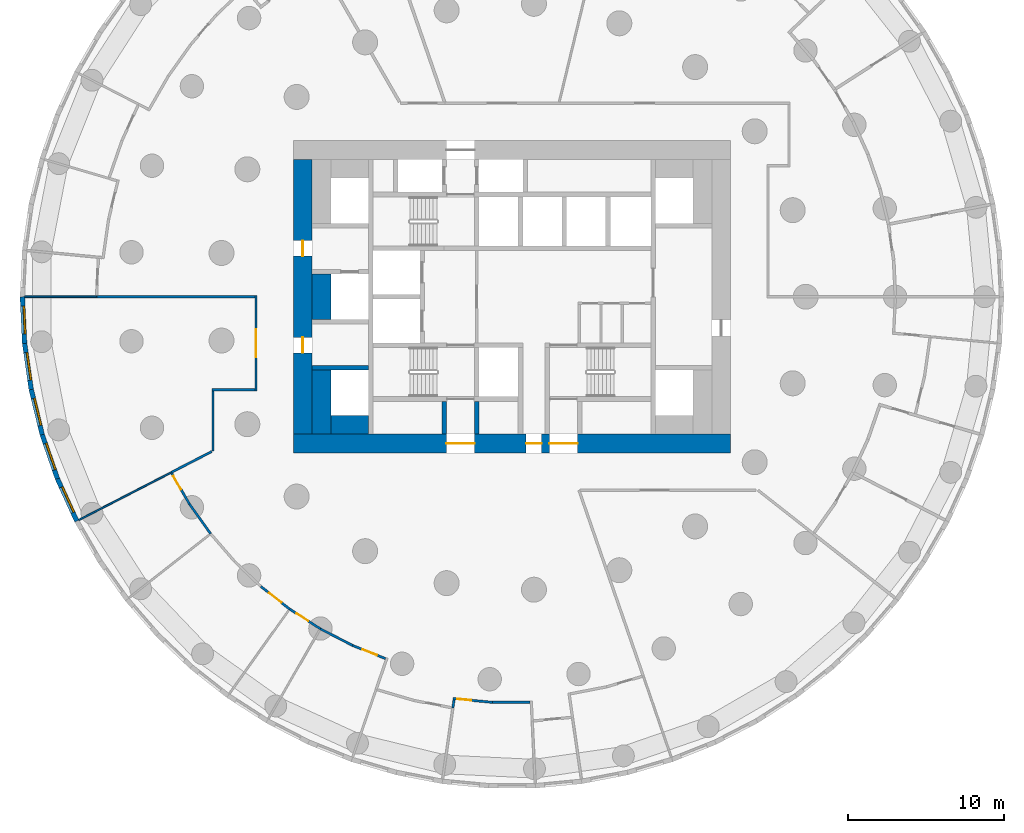
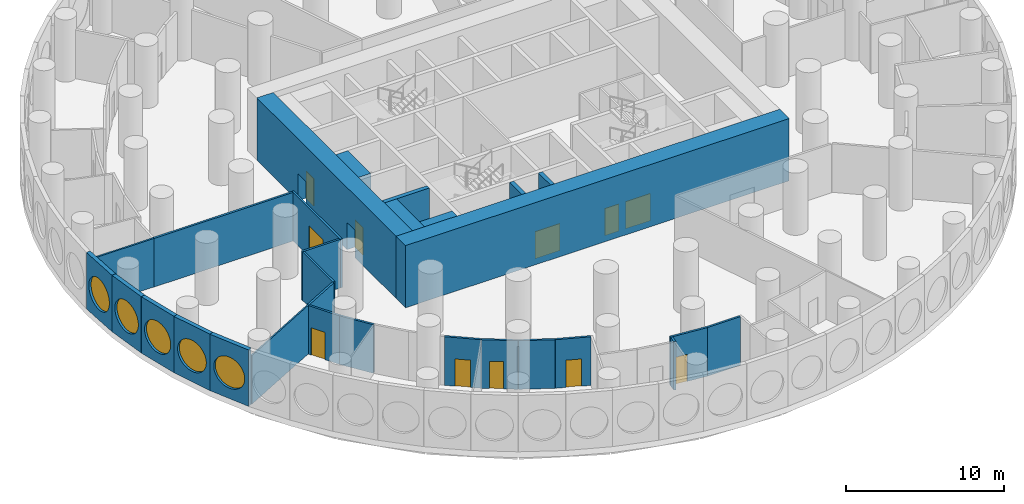
# One storey, part 3 of 12: 29 walls, 11 doors, 5 windows, 16 openings.
"""IFC4 building model written with IfcOpenShell, lengths in metres."""

import ifcopenshell
import ifcopenshell.guid

model = None  # the IFC model being written
_history = None  # IfcOwnerHistory: only IFC2X3 demands one
_inside = {}  # id of a spatial element -> (the spatial element, [elements in it])
_under = {}  # id of a project, library or spatial element -> (it, [spatial elements below it])
_declared = {}  # id of a project -> (the project, [libraries it declares])
_typed = {}  # id of a type object -> (the type object, [elements of that type])
_made_of = {}  # id of a material, layer set ... -> (it, [elements and type objects made of it])


def new_model(schema):
    """Start an empty IFC model of exactly this schema.

    Asked for "IFC4X3", IfcOpenShell would pick the latest addendum, in which some entities
    have other attributes; the version numbers below select the first issue.
    IFC2X3 requires an IfcOwnerHistory on every rooted entity: one is made here for all.
    """
    global model, _history
    if schema == "IFC4X3":
        model = ifcopenshell.file(schema_version=(4, 3, 0, 0))
    else:
        model = ifcopenshell.file(schema=schema)
    _inside.clear()
    _under.clear()
    _declared.clear()
    _typed.clear()
    _made_of.clear()
    _history = None
    if model.schema == "IFC2X3":
        org = make("IfcOrganization", Name="unknown")
        user = make(
            "IfcPersonAndOrganization",
            ThePerson=make("IfcPerson", FamilyName="unknown"),
            TheOrganization=org,
        )
        app = make(
            "IfcApplication",
            ApplicationDeveloper=org,
            Version="unknown",
            ApplicationFullName="unknown",
            ApplicationIdentifier="unknown",
        )
        _history = make(
            "IfcOwnerHistory",
            OwningUser=user,
            OwningApplication=app,
            ChangeAction="ADDED",
            CreationDate=0,
        )
    return model


def make(cls, **values):
    """One entity of the class cls with the attributes given. An attribute that is None is left unset."""
    return model.create_entity(
        cls, **{name: value for name, value in values.items() if value is not None}
    )


def rooted(cls, **values):
    """An entity with a GlobalId (a new one), such as an element, a storey or a relation."""
    return make(cls, GlobalId=ifcopenshell.guid.new(), OwnerHistory=_history, **values)


def si_unit(unit_type, name, prefix=None):
    """IfcSIUnit, for example si_unit("LENGTHUNIT", "METRE", prefix="MILLI")."""
    return make("IfcSIUnit", UnitType=unit_type, Prefix=prefix, Name=name)


def assignment(units):
    """IfcUnitAssignment: the units of a project."""
    return None if units is None else make("IfcUnitAssignment", Units=units)


def point(xyz):
    """IfcCartesianPoint."""
    return None if xyz is None else make("IfcCartesianPoint", Coordinates=xyz)


def direction(xyz):
    """IfcDirection."""
    return None if xyz is None else make("IfcDirection", DirectionRatios=xyz)


def frame(location, z_axis=None, x_axis=None):
    """IfcAxis2Placement3D, a coordinate frame: its origin and axes. An axis left out is left unset."""
    return make(
        "IfcAxis2Placement3D",
        Location=point(location),
        Axis=direction(z_axis),
        RefDirection=direction(x_axis),
    )


def frame_2d(location, x_axis=None):
    """IfcAxis2Placement2D, a coordinate frame in the plane: its origin and x axis."""
    return make(
        "IfcAxis2Placement2D", Location=point(location), RefDirection=direction(x_axis)
    )


def origin():
    """The frame at (0, 0, 0) with its axes left unset."""
    return frame((0.0, 0.0, 0.0))


def origin_2d():
    """The frame at (0, 0) in the plane with its x axis left unset."""
    return frame_2d((0.0, 0.0))


def place(relative_to, where):
    """IfcLocalPlacement: puts the frame where relative to a parent placement (None: the world)."""
    return make(
        "IfcLocalPlacement", PlacementRelTo=relative_to, RelativePlacement=where
    )


def context(
    kind, dimensions, precision=None, world=None, true_north=None, identifier=None
):
    """IfcGeometricRepresentationContext, for example the 3D "Model" context."""
    return make(
        "IfcGeometricRepresentationContext",
        ContextIdentifier=identifier,
        ContextType=kind,
        CoordinateSpaceDimension=dimensions,
        Precision=precision,
        WorldCoordinateSystem=world,
        TrueNorth=true_north,
    )


def subcontext(parent, identifier, kind, view, scale=None):
    """IfcGeometricRepresentationSubContext, for example "Body" below "Model"."""
    return make(
        "IfcGeometricRepresentationSubContext",
        ContextIdentifier=identifier,
        ContextType=kind,
        ParentContext=parent,
        TargetScale=scale,
        TargetView=view,
    )


def project(units=None, contexts=None):
    """IfcProject with its units and contexts."""
    return rooted(
        "IfcProject",
        Name="project",
        RepresentationContexts=contexts,
        UnitsInContext=assignment(units),
    )


def spatial(cls, under=None, at=None, **own):
    """A site, building, storey or space (cls), placed at a placement, below another one or the project."""
    s = rooted(cls, ObjectPlacement=at, **own)
    if under is not None:
        _under.setdefault(under.id(), (under, []))[1].append(s)
    return s


def profile(cls, at=None, kind="AREA", **sizes):
    """A parametric profile (cls). Its sizes go by their IFC names, for example OverallWidth=200.0."""
    return make(cls, ProfileType=kind, Position=at, **sizes)


def rectangle(**sizes):
    """IfcRectangleProfileDef."""
    return profile("IfcRectangleProfileDef", **sizes)


def circle(**sizes):
    """IfcCircleProfileDef."""
    return profile("IfcCircleProfileDef", **sizes)


def extrude(swept, where, along, depth):
    """IfcExtrudedAreaSolid: the profile swept, set in the frame where, extruded along a direction by depth."""
    return make(
        "IfcExtrudedAreaSolid",
        SweptArea=swept,
        Position=where,
        ExtrudedDirection=direction(along),
        Depth=depth,
    )


def shape(context_of_items, identifier, shape_type, items):
    """IfcShapeRepresentation: the items that make up one representation, for example the "Body"."""
    return make(
        "IfcShapeRepresentation",
        ContextOfItems=context_of_items,
        RepresentationIdentifier=identifier,
        RepresentationType=shape_type,
        Items=items,
    )


def material(Name=None, Category=None):
    """IfcMaterial."""
    return make("IfcMaterial", Name=Name, Category=Category)


def layer(
    of_material, thickness, ventilated=None, Name=None, Category=None, Priority=None
):
    """IfcMaterialLayer: one layer of a wall or slab, of a material (None: an air gap)."""
    return make(
        "IfcMaterialLayer",
        Material=of_material,
        LayerThickness=thickness,
        IsVentilated=ventilated,
        Name=Name,
        Category=Category,
        Priority=Priority,
    )


def layer_set(layers, Name=None):
    """IfcMaterialLayerSet."""
    return make("IfcMaterialLayerSet", MaterialLayers=layers, LayerSetName=Name)


def made_of(thing, what):
    """Note that an element or type object is made of a material, layer set ...; save() writes the relation."""
    if what is not None:
        _made_of.setdefault(what.id(), (what, []))[1].append(thing)
    return thing


def type_object(cls, material=None, **own):
    """A type object (cls), such as IfcWallType, which elements share."""
    return made_of(rooted(cls, **own), material)


def element(
    cls,
    number,
    at=None,
    inside=None,
    cuts=None,
    type_object=None,
    material=None,
    context=None,
    identifier="Body",
    shape_type=None,
    held_by="IfcProductDefinitionShape",
    body=None,
    shapes=None,
    **own,
):
    """One element of the class cls, such as IfcWall. Its Tag is "e" and its number.

    at: its placement. inside: the storey or other place that contains it. cuts: it is an
    opening in that element (IfcRelVoidsElement). A single representation is given by context,
    identifier, shape_type and body (its items); several are given by shapes. held_by: the class
    of the entity that holds the representations. save() writes the other relations.
    """
    e = rooted(cls, Tag="e%d" % number, ObjectPlacement=at, **own)
    if body is not None:
        shapes = [shape(context, identifier, shape_type, body)]
    if shapes is not None:
        e.Representation = make(held_by, Representations=shapes)
    if inside is not None:
        _inside.setdefault(inside.id(), (inside, []))[1].append(e)
    if cuts is not None:
        rooted(
            "IfcRelVoidsElement", RelatingBuildingElement=cuts, RelatedOpeningElement=e
        )
    if type_object is not None:
        _typed.setdefault(type_object.id(), (type_object, []))[1].append(e)
    return made_of(e, material)


def fill(opening, filler):
    """IfcRelFillsElement: the door or window that sits in an opening."""
    return rooted(
        "IfcRelFillsElement",
        RelatingOpeningElement=opening,
        RelatedBuildingElement=filler,
    )


def aggregate(whole, parts):
    """IfcRelAggregates: a whole, such as a stair, and the parts it consists of."""
    return rooted("IfcRelAggregates", RelatingObject=whole, RelatedObjects=parts)


def save(model, path):
    """Write the relations noted so far, then the file.

    IfcRelAggregates (storeys below a building ...), IfcRelContainedInSpatialStructure (elements
    in a storey), IfcRelDefinesByType, IfcRelAssociatesMaterial and IfcRelDeclares: one each for
    every whole, place, type object, material and project.
    """
    for whole, parts in _under.values():
        aggregate(whole, parts)
    for where, things in _inside.values():
        rooted(
            "IfcRelContainedInSpatialStructure",
            RelatedElements=things,
            RelatingStructure=where,
        )
    for kind, things in _typed.values():
        rooted("IfcRelDefinesByType", RelatedObjects=things, RelatingType=kind)
    for what, things in _made_of.values():
        rooted("IfcRelAssociatesMaterial", RelatedObjects=things, RelatingMaterial=what)
    for by, libraries in _declared.values():
        rooted("IfcRelDeclares", RelatingContext=by, RelatedDefinitions=libraries)
    model.write(path)


model = new_model("IFC4")

# Units and contexts
model_context = context("Model", 3, precision=1e-05, world=origin(), true_north=direction((0.0, 1.0)))
body_context = subcontext(model_context, "Body", "Model", "MODEL_VIEW")
ifc_project = project(units=[si_unit("LENGTHUNIT", "METRE"), si_unit("AREAUNIT", "SQUARE_METRE"), si_unit("VOLUMEUNIT", "CUBIC_METRE"), si_unit("PLANEANGLEUNIT", "RADIAN"), si_unit("MASSUNIT", "GRAM", prefix="KILO")], contexts=[model_context])

# Site, building, storey
site_placement = place(None, origin())
site = spatial("IfcSite", under=ifc_project, at=site_placement, CompositionType="ELEMENT")
building_placement = place(site_placement, origin())
building = spatial("IfcBuilding", under=site, at=building_placement, Name="Tracery Tower", CompositionType="ELEMENT")
storey_placement = place(building_placement, frame((0.0, 0.0, 13.800048828125)))
storey = spatial("IfcBuildingStorey", under=building, at=storey_placement, Name="L02", CompositionType="ELEMENT", Elevation=13.800048828125)

# Walls
ifc_material_1 = material(Name="Concrete C60/75", Category="concrete")
ifc_layer_1 = layer(ifc_material_1, 1.199951171875)
ifc_layer_set_1 = layer_set([ifc_layer_1], Name="Core strip wall 1200 C60")
wall_type_1 = type_object("IfcWallType", Name="Core strip wall 1200 C60", PredefinedType="SOLIDWALL", material=ifc_layer_set_1)
wall_1_placement = place(storey_placement, frame((-12.199951171875, -8.800048828125, 0.0), z_axis=(0.0, 0.0, 1.0), x_axis=(0.0, 1.0, 0.0)))
element("IfcWall", 1, at=wall_1_placement, inside=storey, type_object=wall_type_1, Name="L02 wing strip -1 -9.4", PredefinedType="SOLIDWALL", context=body_context, shape_type="SweptSolid", body=[
    extrude(rectangle(XDim=4.10009765625, YDim=1.199951171875, at=frame_2d((2.050048828125, 0.0))), origin(), (0.0, 0.0, 1.0), 4.349853515625),
])
wall_2_placement = place(storey_placement, frame((-12.199951171875, -1.449951171875, 0.0), z_axis=(0.0, 0.0, 1.0), x_axis=(0.0, 1.0, 0.0)))
element("IfcWall", 2, at=wall_2_placement, inside=storey, type_object=wall_type_1, Name="L02 wing strip -1 -1.6", PredefinedType="SOLIDWALL", context=body_context, shape_type="SweptSolid", body=[
    extrude(rectangle(XDim=2.89990234375, YDim=1.199951171875, at=frame_2d((1.449951171875, 0.0))), origin(), (0.0, 0.0, 1.0), 4.349853515625),
])
wall_3_placement = place(storey_placement, frame((-11.60009765625, -8.199951171875, 0.0), z_axis=(0.0, 0.0, 1.0), x_axis=(1.0, 0.0, 0.0)))
element("IfcWall", 3, at=wall_3_placement, inside=storey, type_object=wall_type_1, Name="L02 wing corner -1 -8.2", PredefinedType="SOLIDWALL", context=body_context, shape_type="SweptSolid", body=[
    extrude(rectangle(XDim=2.400146484375, YDim=1.199951171875, at=frame_2d((1.2001953125, 0.0))), origin(), (0.0, 0.0, 1.0), 4.349853515625),
])

# Wall, openings, doors
ifc_material_2 = material(Name="Concrete C60/75", Category="concrete")
ifc_layer_2 = layer(ifc_material_2, 1.199951171875)
ifc_layer_set_2 = layer_set([ifc_layer_2], Name="Core wall 1200 C60")
wall_type_2 = type_object("IfcWallType", Name="Core wall 1200 C60", PredefinedType="SOLIDWALL", material=ifc_layer_set_2)
wall_4_placement = place(storey_placement, frame((-14.0, -9.39990234375, 0.0), z_axis=(0.0, 0.0, 1.0), x_axis=(1.0, 0.0, 0.0)))
wall_4 = element("IfcWall", 4, at=wall_4_placement, inside=storey, type_object=wall_type_2, Name="L02 outer S", PredefinedType="SOLIDWALL", context=body_context, shape_type="SweptSolid", body=[
    extrude(rectangle(XDim=28.0, YDim=1.199951171875, at=frame_2d((14.0, 0.0))), origin(), (0.0, 0.0, 1.0), 4.800048828125),
])
opening_1_placement = place(wall_4_placement, frame((14.89990234375, 0.0, 0.0)))
opening_1 = element("IfcOpeningElement", 5, at=opening_1_placement, cuts=wall_4, Name="Opening KD16", PredefinedType="OPENING", context=body_context, shape_type="SweptSolid", body=[
    extrude(rectangle(XDim=1.0, YDim=2.10009765625, at=frame_2d((0.5, 1.050048828125))), frame((0.0, 0.60009765625, 0.0), z_axis=(0.0, -1.0, 0.0), x_axis=(1.0, 0.0, 0.0)), (0.0, 0.0, 1.0), 1.199951171875),
])
opening_2_placement = place(wall_4_placement, frame((9.800048828125, 0.0, 0.0)))
opening_2 = element("IfcOpeningElement", 6, at=opening_2_placement, cuts=wall_4, Name="Opening KD13", PredefinedType="OPENING", context=body_context, shape_type="SweptSolid", body=[
    extrude(rectangle(XDim=1.800048828125, YDim=2.10009765625, at=frame_2d((0.89990234375, 1.050048828125))), frame((0.0, 0.60009765625, 0.0), z_axis=(0.0, -1.0, 0.0), x_axis=(1.0, 0.0, 0.0)), (0.0, 0.0, 1.0), 1.199951171875),
])
opening_3_placement = place(wall_4_placement, frame((16.39990234375, 0.0, 0.0)))
opening_3 = element("IfcOpeningElement", 7, at=opening_3_placement, cuts=wall_4, Name="Opening KD13", PredefinedType="OPENING", context=body_context, shape_type="SweptSolid", body=[
    extrude(rectangle(XDim=1.800048828125, YDim=2.10009765625, at=frame_2d((0.89990234375, 1.050048828125))), frame((0.0, 0.60009765625, 0.0), z_axis=(0.0, -1.0, 0.0), x_axis=(1.0, 0.0, 0.0)), (0.0, 0.0, 1.0), 1.199951171875),
])
ifc_material_3 = material(Name="Steel fire door", Category="steel")
door_type_1 = type_object("IfcDoorType", Name="Core exit door 1000", OperationType="NOTDEFINED", PredefinedType="DOOR", material=ifc_material_3)
door_1_placement = place(opening_1_placement, origin())
door_1 = element("IfcDoor", 8, at=door_1_placement, inside=storey, type_object=door_type_1, Name="Core exit door", OperationType="SINGLE_SWING_LEFT", OverallHeight=2.10009765625, OverallWidth=1.0, PredefinedType="DOOR", context=body_context, shape_type="SweptSolid", body=[
    extrude(rectangle(XDim=1.0, YDim=2.10009765625, at=frame_2d((0.5, 1.050048828125))), frame((0.0, 0.02490234375, 0.0), z_axis=(0.0, -1.0, 0.0), x_axis=(1.0, 0.0, 0.0)), (0.0, 0.0, 1.0), 0.050048828125),
])
fill(opening_1, door_1)
ifc_material_4 = material(Name="Steel fire door", Category="steel")
door_type_2 = type_object("IfcDoorType", Name="Core exit door 1800 double", OperationType="NOTDEFINED", PredefinedType="DOOR", material=ifc_material_4)
door_2_placement = place(opening_2_placement, origin())
door_2 = element("IfcDoor", 9, at=door_2_placement, inside=storey, type_object=door_type_2, Name="Core exit door", OperationType="DOUBLE_DOOR_SINGLE_SWING", OverallHeight=2.10009765625, OverallWidth=1.800048828125, PredefinedType="DOOR", context=body_context, shape_type="SweptSolid", body=[
    extrude(rectangle(XDim=1.800048828125, YDim=2.10009765625, at=frame_2d((0.89990234375, 1.050048828125))), frame((0.0, 0.02490234375, 0.0), z_axis=(0.0, -1.0, 0.0), x_axis=(1.0, 0.0, 0.0)), (0.0, 0.0, 1.0), 0.050048828125),
])
fill(opening_2, door_2)
door_3_placement = place(opening_3_placement, origin())
door_3 = element("IfcDoor", 10, at=door_3_placement, inside=storey, type_object=door_type_2, Name="Core exit door", OperationType="DOUBLE_DOOR_SINGLE_SWING", OverallHeight=2.10009765625, OverallWidth=1.800048828125, PredefinedType="DOOR", context=body_context, shape_type="SweptSolid", body=[
    extrude(rectangle(XDim=1.800048828125, YDim=2.10009765625, at=frame_2d((0.89990234375, 1.050048828125))), frame((0.0, 0.02490234375, 0.0), z_axis=(0.0, -1.0, 0.0), x_axis=(1.0, 0.0, 0.0)), (0.0, 0.0, 1.0), 0.050048828125),
])
fill(opening_3, door_3)

wall_5_placement = place(storey_placement, frame((-13.39990234375, -8.800048828125, 0.0), z_axis=(0.0, 0.0, 1.0), x_axis=(0.0, 1.0, 0.0)))
wall_5 = element("IfcWall", 11, at=wall_5_placement, inside=storey, type_object=wall_type_2, Name="L02 outer W", PredefinedType="SOLIDWALL", context=body_context, shape_type="SweptSolid", body=[
    extrude(rectangle(XDim=17.60009765625, YDim=1.199951171875, at=frame_2d((8.800048828125, 0.0))), origin(), (0.0, 0.0, 1.0), 4.800048828125),
])
opening_4_placement = place(wall_5_placement, frame((5.199951171875, 0.0, 0.0)))
opening_4 = element("IfcOpeningElement", 12, at=opening_4_placement, cuts=wall_5, Name="Opening KD18", PredefinedType="OPENING", context=body_context, shape_type="SweptSolid", body=[
    extrude(rectangle(XDim=1.0, YDim=2.10009765625, at=frame_2d((0.5, 1.050048828125))), frame((0.0, 0.60009765625, 0.0), z_axis=(0.0, -1.0, 0.0), x_axis=(1.0, 0.0, 0.0)), (0.0, 0.0, 1.0), 1.199951171875),
])
opening_5_placement = place(wall_5_placement, frame((11.39990234375, 0.0, 0.0)))
opening_5 = element("IfcOpeningElement", 13, at=opening_5_placement, cuts=wall_5, Name="Opening KD18", PredefinedType="OPENING", context=body_context, shape_type="SweptSolid", body=[
    extrude(rectangle(XDim=1.0, YDim=2.10009765625, at=frame_2d((0.5, 1.050048828125))), frame((0.0, 0.60009765625, 0.0), z_axis=(0.0, -1.0, 0.0), x_axis=(1.0, 0.0, 0.0)), (0.0, 0.0, 1.0), 1.199951171875),
])
door_4_placement = place(opening_4_placement, origin())
door_4 = element("IfcDoor", 14, at=door_4_placement, inside=storey, type_object=door_type_1, Name="Core exit door", OperationType="DOUBLE_DOOR_SINGLE_SWING", OverallHeight=2.10009765625, OverallWidth=1.0, PredefinedType="DOOR", context=body_context, shape_type="SweptSolid", body=[
    extrude(rectangle(XDim=1.0, YDim=2.10009765625, at=frame_2d((0.5, 1.050048828125))), frame((0.0, 0.02490234375, 0.0), z_axis=(0.0, -1.0, 0.0), x_axis=(1.0, 0.0, 0.0)), (0.0, 0.0, 1.0), 0.050048828125),
])
fill(opening_4, door_4)
door_5_placement = place(opening_5_placement, origin())
door_5 = element("IfcDoor", 15, at=door_5_placement, inside=storey, type_object=door_type_1, Name="Core exit door", OperationType="DOUBLE_DOOR_SINGLE_SWING", OverallHeight=2.10009765625, OverallWidth=1.0, PredefinedType="DOOR", context=body_context, shape_type="SweptSolid", body=[
    extrude(rectangle(XDim=1.0, YDim=2.10009765625, at=frame_2d((0.5, 1.050048828125))), frame((0.0, 0.02490234375, 0.0), z_axis=(0.0, -1.0, 0.0), x_axis=(1.0, 0.0, 0.0)), (0.0, 0.0, 1.0), 0.050048828125),
])
fill(opening_5, door_5)

# Wall
ifc_material_5 = material(Name="Plasterboard on steel studs", Category="steel")
ifc_layer_3 = layer(ifc_material_5, 0.14990234375)
ifc_layer_set_3 = layer_set([ifc_layer_3], Name="Corridor partition 150")
wall_type_3 = type_object("IfcWallType", Name="Corridor partition 150", PredefinedType="PARTITIONING", material=ifc_layer_set_3)
wall_6_placement = place(storey_placement, frame((-26.618896484375, 0.0, 0.0), z_axis=(0.0, 0.0, 1.0), x_axis=(1.0, 0.0, 0.0)))
element("IfcWall", 16, at=wall_6_placement, inside=storey, type_object=wall_type_3, Name="Corridor partition 150", PredefinedType="PARTITIONING", context=body_context, shape_type="SweptSolid", body=[
    extrude(rectangle(XDim=10.143798828125, YDim=0.14990234375, at=frame_2d((5.07177734375, 0.0))), origin(), (0.0, 0.0, 1.0), 3.75),
])

# Wall, opening, door
wall_7_placement = place(storey_placement, frame((-20.666748046875, -13.28173828125, 0.0), z_axis=(0.0, 0.0, 1.0), x_axis=(-0.500049307386, 0.86599693428, 0.0)))
wall_7 = element("IfcWall", 17, at=wall_7_placement, inside=storey, type_object=wall_type_3, Name="Corridor partition 150", PredefinedType="PARTITIONING", context=body_context, shape_type="SweptSolid", body=[
    extrude(rectangle(XDim=2.262939453125, YDim=0.14990234375, at=frame_2d((1.13134765625, 0.0))), origin(), (0.0, 0.0, 1.0), 3.75),
])
opening_6_placement = place(wall_7_placement, frame((1.069091796875, 0.0, 0.0)))
opening_6 = element("IfcOpeningElement", 18, at=opening_6_placement, cuts=wall_7, Name="Opening SB-L02-22", PredefinedType="OPENING", context=body_context, shape_type="SweptSolid", body=[
    extrude(rectangle(XDim=1.0, YDim=2.10009765625, at=frame_2d((0.5, 1.050048828125))), frame((0.0, 0.074951171875, 0.0), z_axis=(0.0, -1.0, 0.0), x_axis=(1.0, 0.0, 0.0)), (0.0, 0.0, 1.0), 0.14990234375),
])
ifc_material_6 = material(Name="Timber door leaf", Category="wood")
door_type_3 = type_object("IfcDoorType", Name="Public room door 1000", OperationType="NOTDEFINED", PredefinedType="DOOR", material=ifc_material_6)
door_6_placement = place(opening_6_placement, origin())
door_6 = element("IfcDoor", 19, at=door_6_placement, inside=storey, type_object=door_type_3, Name="Public room door 1000", OperationType="SINGLE_SWING_RIGHT", OverallHeight=2.10009765625, OverallWidth=1.0, PredefinedType="DOOR", context=body_context, shape_type="SweptSolid", body=[
    extrude(rectangle(XDim=1.0, YDim=2.10009765625, at=frame_2d((0.5, 1.050048828125))), frame((0.0, 0.02490234375, 0.0), z_axis=(0.0, -1.0, 0.0), x_axis=(1.0, 0.0, 0.0)), (0.0, 0.0, 1.0), 0.050048828125),
])
fill(opening_6, door_6)

# Walls
wall_8_placement = place(storey_placement, frame((-21.835693359375, -11.257080078125, 0.0), z_axis=(0.0, 0.0, 1.0), x_axis=(0.888822270684, 0.458252082522, 0.0)))
element("IfcWall", 20, at=wall_8_placement, inside=storey, type_object=wall_type_3, Name="Corridor partition 150", PredefinedType="PARTITIONING", context=body_context, shape_type="SweptSolid", body=[
    extrude(rectangle(XDim=2.927978515625, YDim=0.14990234375, at=frame_2d((1.4638671875, 0.0))), origin(), (0.0, 0.0, 1.0), 3.75),
])
wall_9_placement = place(storey_placement, frame((-20.666748046875, -13.28173828125, 0.0), z_axis=(0.0, 0.0, 1.0), x_axis=(0.580032319147, -0.814593462252, 0.0)))
element("IfcWall", 21, at=wall_9_placement, inside=storey, type_object=wall_type_3, Name="Corridor partition 150", PredefinedType="PARTITIONING", context=body_context, shape_type="SweptSolid", body=[
    extrude(rectangle(XDim=2.337646484375, YDim=0.14990234375, at=frame_2d((1.1689453125, 0.0))), origin(), (0.0, 0.0, 1.0), 3.75),
])
wall_10_placement = place(storey_placement, frame((-19.158203125, -6.041748046875, 0.0), z_axis=(0.0, 0.0, 1.0), x_axis=(0.0, -1.0, 0.0)))
element("IfcWall", 22, at=wall_10_placement, inside=storey, type_object=wall_type_3, Name="Corridor partition 150", PredefinedType="PARTITIONING", context=body_context, shape_type="SweptSolid", body=[
    extrude(rectangle(XDim=3.8349609375, YDim=0.14990234375, at=frame_2d((1.91748046875, 0.0))), origin(), (0.0, 0.0, 1.0), 3.75),
])
wall_11_placement = place(storey_placement, frame((-16.47509765625, -5.966796875, 0.0), z_axis=(0.0, 0.0, 1.0), x_axis=(-1.0, 0.0, 0.0)))
element("IfcWall", 23, at=wall_11_placement, inside=storey, type_object=wall_type_3, Name="Corridor partition 150", PredefinedType="PARTITIONING", context=body_context, shape_type="SweptSolid", body=[
    extrude(rectangle(XDim=2.758056640625, YDim=0.14990234375, at=frame_2d((1.37890625, 0.0))), origin(), (0.0, 0.0, 1.0), 3.75),
])

# Wall, opening, door
wall_12_placement = place(storey_placement, frame((-16.39990234375, -6.041748046875, 0.0), z_axis=(0.0, 0.0, 1.0), x_axis=(0.0, 1.0, 0.0)))
wall_12 = element("IfcWall", 24, at=wall_12_placement, inside=storey, type_object=wall_type_3, Name="Corridor partition 150", PredefinedType="PARTITIONING", context=body_context, shape_type="SweptSolid", body=[
    extrude(rectangle(XDim=6.11669921875, YDim=0.14990234375, at=frame_2d((3.058349609375, 0.0))), origin(), (0.0, 0.0, 1.0), 3.75),
])
opening_7_placement = place(wall_12_placement, frame((2.158203125, 0.0, 0.0)))
opening_7 = element("IfcOpeningElement", 25, at=opening_7_placement, cuts=wall_12, Name="Opening SB-L02-21", PredefinedType="OPENING", context=body_context, shape_type="SweptSolid", body=[
    extrude(rectangle(XDim=1.800048828125, YDim=2.39990234375, at=frame_2d((0.89990234375, 1.199951171875))), frame((0.0, 0.074951171875, 0.0), z_axis=(0.0, -1.0, 0.0), x_axis=(1.0, 0.0, 0.0)), (0.0, 0.0, 1.0), 0.14990234375),
])
ifc_material_7 = material(Name="Glazed aluminium door", Category="aluminium")
door_type_4 = type_object("IfcDoorType", Name="Hall double door 1800", OperationType="DOUBLE_DOOR_SINGLE_SWING", PredefinedType="DOOR", material=ifc_material_7)
door_7_placement = place(opening_7_placement, origin())
door_7 = element("IfcDoor", 26, at=door_7_placement, inside=storey, type_object=door_type_4, Name="Hall double door 1800", OperationType="DOUBLE_DOOR_SINGLE_SWING", OverallHeight=2.39990234375, OverallWidth=1.800048828125, PredefinedType="DOOR", context=body_context, shape_type="SweptSolid", body=[
    extrude(rectangle(XDim=1.800048828125, YDim=2.39990234375, at=frame_2d((0.89990234375, 1.199951171875))), frame((0.0, 0.02490234375, 0.0), z_axis=(0.0, -1.0, 0.0), x_axis=(1.0, 0.0, 0.0)), (0.0, 0.0, 1.0), 0.050048828125),
])
fill(opening_7, door_7)

wall_13_placement = place(storey_placement, frame((-14.25, -20.011474609375, 0.0), z_axis=(0.0, 0.0, 1.0), x_axis=(-0.786108126536, 0.618089001191, 0.0)))
wall_13 = element("IfcWall", 27, at=wall_13_placement, inside=storey, type_object=wall_type_3, Name="Corridor partition 150", PredefinedType="PARTITIONING", context=body_context, shape_type="SweptSolid", body=[
    extrude(rectangle(XDim=2.337890625, YDim=0.14990234375, at=frame_2d((1.1689453125, 0.0))), origin(), (0.0, 0.0, 1.0), 3.75),
])
opening_8_placement = place(wall_13_placement, frame((0.6689453125, 0.0, 0.0)))
opening_8 = element("IfcOpeningElement", 28, at=opening_8_placement, cuts=wall_13, Name="Opening SB-L02-23", PredefinedType="OPENING", context=body_context, shape_type="SweptSolid", body=[
    extrude(rectangle(XDim=1.0, YDim=2.10009765625, at=frame_2d((0.5, 1.050048828125))), frame((0.0, 0.074951171875, 0.0), z_axis=(0.0, -1.0, 0.0), x_axis=(1.0, 0.0, 0.0)), (0.0, 0.0, 1.0), 0.14990234375),
])
door_8_placement = place(opening_8_placement, origin())
door_8 = element("IfcDoor", 29, at=door_8_placement, inside=storey, type_object=door_type_3, Name="Public room door 1000", OperationType="SINGLE_SWING_RIGHT", OverallHeight=2.10009765625, OverallWidth=1.0, PredefinedType="DOOR", context=body_context, shape_type="SweptSolid", body=[
    extrude(rectangle(XDim=1.0, YDim=2.10009765625, at=frame_2d((0.5, 1.050048828125))), frame((0.0, 0.02490234375, 0.0), z_axis=(0.0, -1.0, 0.0), x_axis=(1.0, 0.0, 0.0)), (0.0, 0.0, 1.0), 0.050048828125),
])
fill(opening_8, door_8)

wall_14_placement = place(storey_placement, frame((-12.283447265625, -21.275390625, 0.0), z_axis=(0.0, 0.0, 1.0), x_axis=(-0.841236155743, 0.540667855777, 0.0)))
wall_14 = element("IfcWall", 30, at=wall_14_placement, inside=storey, type_object=wall_type_3, Name="Corridor partition 150", PredefinedType="PARTITIONING", context=body_context, shape_type="SweptSolid", body=[
    extrude(rectangle(XDim=2.337646484375, YDim=0.14990234375, at=frame_2d((1.1689453125, 0.0))), origin(), (0.0, 0.0, 1.0), 3.75),
])
opening_9_placement = place(wall_14_placement, frame((0.9189453125, 0.0, 0.0)))
opening_9 = element("IfcOpeningElement", 31, at=opening_9_placement, cuts=wall_14, Name="Opening SB-L02-24", PredefinedType="OPENING", context=body_context, shape_type="SweptSolid", body=[
    extrude(rectangle(XDim=0.89990234375, YDim=2.10009765625, at=frame_2d((0.449951171875, 1.050048828125))), frame((0.0, 0.074951171875, 0.0), z_axis=(0.0, -1.0, 0.0), x_axis=(1.0, 0.0, 0.0)), (0.0, 0.0, 1.0), 0.14990234375),
])
ifc_material_8 = material(Name="Timber door leaf", Category="wood")
door_type_5 = type_object("IfcDoorType", Name="Room door 900", OperationType="NOTDEFINED", PredefinedType="DOOR", material=ifc_material_8)
door_9_placement = place(opening_9_placement, origin())
door_9 = element("IfcDoor", 32, at=door_9_placement, inside=storey, type_object=door_type_5, Name="Room door 900", OperationType="SINGLE_SWING_RIGHT", OverallHeight=2.10009765625, OverallWidth=0.89990234375, PredefinedType="DOOR", context=body_context, shape_type="SweptSolid", body=[
    extrude(rectangle(XDim=0.89990234375, YDim=2.10009765625, at=frame_2d((0.449951171875, 1.050048828125))), frame((0.0, 0.02490234375, 0.0), z_axis=(0.0, -1.0, 0.0), x_axis=(1.0, 0.0, 0.0)), (0.0, 0.0, 1.0), 0.050048828125),
])
fill(opening_9, door_9)

# Wall
wall_15_placement = place(storey_placement, frame((-12.283447265625, -21.275390625, 0.0), z_axis=(0.0, 0.0, 1.0), x_axis=(0.888845697941, -0.458206640339, 0.0)))
element("IfcWall", 33, at=wall_15_placement, inside=storey, type_object=wall_type_3, Name="Corridor partition 150", PredefinedType="PARTITIONING", context=body_context, shape_type="SweptSolid", body=[
    extrude(rectangle(XDim=2.337890625, YDim=0.14990234375, at=frame_2d((1.1689453125, 0.0))), origin(), (0.0, 0.0, 1.0), 3.75),
])

# Wall, opening, door
wall_16_placement = place(storey_placement, frame((-8.1044921875, -23.187744140625, 0.0), z_axis=(0.0, 0.0, 1.0), x_axis=(-0.928365042032, 0.371669676909, 0.0)))
wall_16 = element("IfcWall", 34, at=wall_16_placement, inside=storey, type_object=wall_type_3, Name="Corridor partition 150", PredefinedType="PARTITIONING", context=body_context, shape_type="SweptSolid", body=[
    extrude(rectangle(XDim=2.262939453125, YDim=0.14990234375, at=frame_2d((1.13134765625, 0.0))), origin(), (0.0, 0.0, 1.0), 3.75),
])
opening_10_placement = place(wall_16_placement, frame((0.593994140625, 0.0, 0.0)))
opening_10 = element("IfcOpeningElement", 35, at=opening_10_placement, cuts=wall_16, Name="Opening SB-L02-25", PredefinedType="OPENING", context=body_context, shape_type="SweptSolid", body=[
    extrude(rectangle(XDim=1.0, YDim=2.10009765625, at=frame_2d((0.5, 1.050048828125))), frame((0.0, 0.074951171875, 0.0), z_axis=(0.0, -1.0, 0.0), x_axis=(1.0, 0.0, 0.0)), (0.0, 0.0, 1.0), 0.14990234375),
])
door_10_placement = place(opening_10_placement, origin())
door_10 = element("IfcDoor", 36, at=door_10_placement, inside=storey, type_object=door_type_3, Name="Public room door 1000", OperationType="SINGLE_SWING_RIGHT", OverallHeight=2.10009765625, OverallWidth=1.0, PredefinedType="DOOR", context=body_context, shape_type="SweptSolid", body=[
    extrude(rectangle(XDim=1.0, YDim=2.10009765625, at=frame_2d((0.5, 1.050048828125))), frame((0.0, 0.02490234375, 0.0), z_axis=(0.0, -1.0, 0.0), x_axis=(1.0, 0.0, 0.0)), (0.0, 0.0, 1.0), 0.050048828125),
])
fill(opening_10, door_10)

# Wall
wall_17_placement = place(storey_placement, frame((-3.788330078125, -26.34814453125, 0.0), z_axis=(0.0, 0.0, 1.0), x_axis=(0.142526194345, 0.989791030433, 0.0)))
element("IfcWall", 37, at=wall_17_placement, inside=storey, type_object=wall_type_3, Name="Corridor partition 150", PredefinedType="PARTITIONING", context=body_context, shape_type="SweptSolid", body=[
    extrude(rectangle(XDim=0.52587890625, YDim=0.14990234375, at=frame_2d((0.262939453125, 0.0))), origin(), (0.0, 0.0, 1.0), 3.75),
])

# Wall, opening, door
wall_18_placement = place(storey_placement, frame((-1.238037109375, -25.989013671875, 0.0), z_axis=(0.0, 0.0, 1.0), x_axis=(-0.995465314717, 0.095125218499, 0.0)))
wall_18 = element("IfcWall", 38, at=wall_18_placement, inside=storey, type_object=wall_type_3, Name="Corridor partition 150", PredefinedType="PARTITIONING", context=body_context, shape_type="SweptSolid", body=[
    extrude(rectangle(XDim=2.551025390625, YDim=0.14990234375, at=frame_2d((1.275390625, 0.0))), origin(), (0.0, 0.0, 1.0), 3.75),
])
opening_11_placement = place(wall_18_placement, frame((1.387939453125, 0.0, 0.0)))
opening_11 = element("IfcOpeningElement", 39, at=opening_11_placement, cuts=wall_18, Name="Opening SB-L02-27", PredefinedType="OPENING", context=body_context, shape_type="SweptSolid", body=[
    extrude(rectangle(XDim=0.89990234375, YDim=2.10009765625, at=frame_2d((0.449951171875, 1.050048828125))), frame((0.0, 0.074951171875, 0.0), z_axis=(0.0, -1.0, 0.0), x_axis=(1.0, 0.0, 0.0)), (0.0, 0.0, 1.0), 0.14990234375),
])
ifc_material_9 = material(Name="Timber door leaf", Category="wood")
door_type_6 = type_object("IfcDoorType", Name="Toilet door 900", OperationType="NOTDEFINED", PredefinedType="DOOR", material=ifc_material_9)
door_11_placement = place(opening_11_placement, origin())
door_11 = element("IfcDoor", 40, at=door_11_placement, inside=storey, type_object=door_type_6, Name="Toilet door 900", OperationType="SINGLE_SWING_RIGHT", OverallHeight=2.10009765625, OverallWidth=0.89990234375, PredefinedType="DOOR", context=body_context, shape_type="SweptSolid", body=[
    extrude(rectangle(XDim=0.89990234375, YDim=2.10009765625, at=frame_2d((0.449951171875, 1.050048828125))), frame((0.0, 0.02490234375, 0.0), z_axis=(0.0, -1.0, 0.0), x_axis=(1.0, 0.0, 0.0)), (0.0, 0.0, 1.0), 0.050048828125),
])
fill(opening_11, door_11)

# Wall
wall_19_placement = place(storey_placement, frame((-1.238037109375, -25.989013671875, 0.0), z_axis=(0.0, 0.0, 1.0), x_axis=(1.0, 0.0, 0.0)))
element("IfcWall", 41, at=wall_19_placement, inside=storey, type_object=wall_type_3, Name="Corridor partition 150", PredefinedType="PARTITIONING", context=body_context, shape_type="SweptSolid", body=[
    extrude(rectangle(XDim=2.401123046875, YDim=0.14990234375, at=frame_2d((1.20068359375, 0.0))), origin(), (0.0, 0.0, 1.0), 3.75),
])

# Wall, opening, window
ifc_material_10 = material(Name="Precast concrete C50/60", Category="concrete")
ifc_layer_4 = layer(ifc_material_10, 0.300048828125)
ifc_layer_set_4 = layer_set([ifc_layer_4], Name="Facade panel 3000 x 4350")
wall_type_4 = type_object("IfcWallType", Name="Facade panel 3000 x 4350", PredefinedType="SOLIDWALL", material=ifc_layer_set_4)
wall_20_placement = place(storey_placement, frame((-31.37451171875, 0.0, 0.0), z_axis=(0.0, 0.0, 1.0), x_axis=(0.047588458579, -0.998867027492, 0.0)))
wall_20 = element("IfcWall", 42, at=wall_20_placement, inside=storey, type_object=wall_type_4, Name="Facade panel 34 at L02", PredefinedType="SOLIDWALL", context=body_context, shape_type="SweptSolid", body=[
    extrude(rectangle(XDim=2.98583984375, YDim=0.300048828125, at=frame_2d((1.492919921875, 0.0))), origin(), (0.0, 0.0, 1.0), 4.349853515625),
])
opening_12_placement = place(wall_20_placement, frame((1.492919921875, 0.0, 2.0)))
opening_12 = element("IfcOpeningElement", 43, at=opening_12_placement, cuts=wall_20, Name="Opening WN2", PredefinedType="OPENING", context=body_context, shape_type="SweptSolid", body=[
    extrude(circle(Radius=1.199951171875, at=origin_2d()), frame((0.0, 0.159912109375, 0.0), z_axis=(0.0, -1.0, 0.0), x_axis=(1.0, 0.0, 0.0)), (0.0, 0.0, 1.0), 0.320068359375),
])
ifc_material_11 = material(Name="Aluminium frame with tinted double glazing", Category="aluminium")
window_type = type_object("IfcWindowType", Name="Round window 2400", PartitioningType="SINGLE_PANEL", PredefinedType="WINDOW", material=ifc_material_11)
window_1_placement = place(opening_12_placement, origin())
window_1 = element("IfcWindow", 44, at=window_1_placement, inside=storey, type_object=window_type, Name="Round window 34 at L02", OverallHeight=2.39990234375, OverallWidth=2.39990234375, PartitioningType="SINGLE_PANEL", PredefinedType="WINDOW", context=body_context, shape_type="SweptSolid", body=[
    extrude(circle(Radius=1.199951171875, at=origin_2d()), frame((0.0, 0.1201171875, 0.0), z_axis=(0.0, -1.0, 0.0), x_axis=(1.0, 0.0, 0.0)), (0.0, 0.0, 1.0), 0.10009765625),
])
fill(opening_12, window_1)

wall_21_placement = place(storey_placement, frame((-31.232421875, -2.982421875, 0.0), z_axis=(0.0, 0.0, 1.0), x_axis=(0.142360001917, -0.989814947278, 0.0)))
wall_21 = element("IfcWall", 45, at=wall_21_placement, inside=storey, type_object=wall_type_4, Name="Facade panel 35 at L02", PredefinedType="SOLIDWALL", context=body_context, shape_type="SweptSolid", body=[
    extrude(rectangle(XDim=2.98583984375, YDim=0.300048828125, at=frame_2d((1.492919921875, 0.0))), origin(), (0.0, 0.0, 1.0), 4.349853515625),
])
opening_13_placement = place(wall_21_placement, frame((1.492919921875, 0.0, 2.0)))
opening_13 = element("IfcOpeningElement", 46, at=opening_13_placement, cuts=wall_21, Name="Opening WN2", PredefinedType="OPENING", context=body_context, shape_type="SweptSolid", body=[
    extrude(circle(Radius=1.199951171875, at=origin_2d()), frame((0.0, 0.159912109375, 0.0), z_axis=(0.0, -1.0, 0.0), x_axis=(1.0, 0.0, 0.0)), (0.0, 0.0, 1.0), 0.320068359375),
])
window_2_placement = place(opening_13_placement, origin())
window_2 = element("IfcWindow", 47, at=window_2_placement, inside=storey, type_object=window_type, Name="Round window 35 at L02", OverallHeight=2.39990234375, OverallWidth=2.39990234375, PartitioningType="SINGLE_PANEL", PredefinedType="WINDOW", context=body_context, shape_type="SweptSolid", body=[
    extrude(circle(Radius=1.199951171875, at=origin_2d()), frame((0.0, 0.1201171875, 0.0), z_axis=(0.0, -1.0, 0.0), x_axis=(1.0, 0.0, 0.0)), (0.0, 0.0, 1.0), 0.10009765625),
])
fill(opening_13, window_2)

wall_22_placement = place(storey_placement, frame((-30.807373046875, -5.937744140625, 0.0), z_axis=(0.0, 0.0, 1.0), x_axis=(0.235756834479, -0.971812078026, 0.0)))
wall_22 = element("IfcWall", 48, at=wall_22_placement, inside=storey, type_object=wall_type_4, Name="Facade panel 36 at L02", PredefinedType="SOLIDWALL", context=body_context, shape_type="SweptSolid", body=[
    extrude(rectangle(XDim=2.985595703125, YDim=0.300048828125, at=frame_2d((1.49267578125, 0.0))), origin(), (0.0, 0.0, 1.0), 4.349853515625),
])
opening_14_placement = place(wall_22_placement, frame((1.492919921875, 0.0, 2.0)))
opening_14 = element("IfcOpeningElement", 49, at=opening_14_placement, cuts=wall_22, Name="Opening WN2", PredefinedType="OPENING", context=body_context, shape_type="SweptSolid", body=[
    extrude(circle(Radius=1.199951171875, at=origin_2d()), frame((0.0, 0.159912109375, 0.0), z_axis=(0.0, -1.0, 0.0), x_axis=(1.0, 0.0, 0.0)), (0.0, 0.0, 1.0), 0.320068359375),
])
window_3_placement = place(opening_14_placement, origin())
window_3 = element("IfcWindow", 50, at=window_3_placement, inside=storey, type_object=window_type, Name="Round window 36 at L02", OverallHeight=2.39990234375, OverallWidth=2.39990234375, PartitioningType="SINGLE_PANEL", PredefinedType="WINDOW", context=body_context, shape_type="SweptSolid", body=[
    extrude(circle(Radius=1.199951171875, at=origin_2d()), frame((0.0, 0.1201171875, 0.0), z_axis=(0.0, -1.0, 0.0), x_axis=(1.0, 0.0, 0.0)), (0.0, 0.0, 1.0), 0.10009765625),
])
fill(opening_14, window_3)

wall_23_placement = place(storey_placement, frame((-30.103515625, -8.839111328125, 0.0), z_axis=(0.0, 0.0, 1.0), x_axis=(0.327074054052, -0.944998710669, 0.0)))
wall_23 = element("IfcWall", 51, at=wall_23_placement, inside=storey, type_object=wall_type_4, Name="Facade panel 37 at L02", PredefinedType="SOLIDWALL", context=body_context, shape_type="SweptSolid", body=[
    extrude(rectangle(XDim=2.98583984375, YDim=0.300048828125, at=frame_2d((1.492919921875, 0.0))), origin(), (0.0, 0.0, 1.0), 4.349853515625),
])
opening_15_placement = place(wall_23_placement, frame((1.492919921875, 0.0, 2.0)))
opening_15 = element("IfcOpeningElement", 52, at=opening_15_placement, cuts=wall_23, Name="Opening WN2", PredefinedType="OPENING", context=body_context, shape_type="SweptSolid", body=[
    extrude(circle(Radius=1.199951171875, at=origin_2d()), frame((0.0, 0.159912109375, 0.0), z_axis=(0.0, -1.0, 0.0), x_axis=(1.0, 0.0, 0.0)), (0.0, 0.0, 1.0), 0.320068359375),
])
window_4_placement = place(opening_15_placement, origin())
window_4 = element("IfcWindow", 53, at=window_4_placement, inside=storey, type_object=window_type, Name="Round window 37 at L02", OverallHeight=2.39990234375, OverallWidth=2.39990234375, PartitioningType="SINGLE_PANEL", PredefinedType="WINDOW", context=body_context, shape_type="SweptSolid", body=[
    extrude(circle(Radius=1.199951171875, at=origin_2d()), frame((0.0, 0.1201171875, 0.0), z_axis=(0.0, -1.0, 0.0), x_axis=(1.0, 0.0, 0.0)), (0.0, 0.0, 1.0), 0.10009765625),
])
fill(opening_15, window_4)

wall_24_placement = place(storey_placement, frame((-29.126953125, -11.66064453125, 0.0), z_axis=(0.0, 0.0, 1.0), x_axis=(0.415373250944, -0.909651066289, 0.0)))
wall_24 = element("IfcWall", 54, at=wall_24_placement, inside=storey, type_object=wall_type_4, Name="Facade panel 38 at L02", PredefinedType="SOLIDWALL", context=body_context, shape_type="SweptSolid", body=[
    extrude(rectangle(XDim=2.98583984375, YDim=0.300048828125, at=frame_2d((1.492919921875, 0.0))), origin(), (0.0, 0.0, 1.0), 4.349853515625),
])
opening_16_placement = place(wall_24_placement, frame((1.492919921875, 0.0, 2.0)))
opening_16 = element("IfcOpeningElement", 55, at=opening_16_placement, cuts=wall_24, Name="Opening WN2", PredefinedType="OPENING", context=body_context, shape_type="SweptSolid", body=[
    extrude(circle(Radius=1.199951171875, at=origin_2d()), frame((0.0, 0.159912109375, 0.0), z_axis=(0.0, -1.0, 0.0), x_axis=(1.0, 0.0, 0.0)), (0.0, 0.0, 1.0), 0.320068359375),
])
window_5_placement = place(opening_16_placement, origin())
window_5 = element("IfcWindow", 56, at=window_5_placement, inside=storey, type_object=window_type, Name="Round window 38 at L02", OverallHeight=2.39990234375, OverallWidth=2.39990234375, PartitioningType="SINGLE_PANEL", PredefinedType="WINDOW", context=body_context, shape_type="SweptSolid", body=[
    extrude(circle(Radius=1.199951171875, at=origin_2d()), frame((0.0, 0.1201171875, 0.0), z_axis=(0.0, -1.0, 0.0), x_axis=(1.0, 0.0, 0.0)), (0.0, 0.0, 1.0), 0.10009765625),
])
fill(opening_16, window_5)

# Walls
ifc_material_12 = material(Name="Concrete C60/75", Category="concrete")
ifc_layer_5 = layer(ifc_material_12, 0.300048828125)
ifc_layer_set_5 = layer_set([ifc_layer_5], Name="Shaft wall 300 C60")
wall_type_5 = type_object("IfcWallType", Name="Shaft wall 300 C60", PredefinedType="SOLIDWALL", material=ifc_layer_set_5)
wall_25_placement = place(storey_placement, frame((-4.35009765625, -8.800048828125, 0.0), z_axis=(0.0, 0.0, 1.0), x_axis=(0.0, 1.0, 0.0)))
element("IfcWall", 57, at=wall_25_placement, inside=storey, type_object=wall_type_5, Name="L02 band S -4.35", PredefinedType="SOLIDWALL", context=body_context, shape_type="SweptSolid", body=[
    extrude(rectangle(XDim=2.10009765625, YDim=0.300048828125, at=frame_2d((1.050048828125, 0.0))), origin(), (0.0, 0.0, 1.0), 4.349853515625),
])
wall_26_placement = place(storey_placement, frame((-12.800048828125, -4.550048828125, 0.0), z_axis=(0.0, 0.0, 1.0), x_axis=(1.0, 0.0, 0.0)))
element("IfcWall", 58, at=wall_26_placement, inside=storey, type_object=wall_type_5, Name="L02 wing shaft wall -1 -4.55", PredefinedType="SOLIDWALL", context=body_context, shape_type="SweptSolid", body=[
    extrude(rectangle(XDim=3.60009765625, YDim=0.300048828125, at=frame_2d((1.800048828125, 0.0))), origin(), (0.0, 0.0, 1.0), 4.349853515625),
])
ifc_material_13 = material(Name="Concrete C60/75", Category="concrete")
ifc_layer_6 = layer(ifc_material_13, 0.300048828125)
ifc_layer_set_6 = layer_set([ifc_layer_6], Name="Stair wall 300 C60")
wall_type_6 = type_object("IfcWallType", Name="Stair wall 300 C60", PredefinedType="SOLIDWALL", material=ifc_layer_set_6)
wall_27_placement = place(storey_placement, frame((-2.25, -8.800048828125, 0.0), z_axis=(0.0, 0.0, 1.0), x_axis=(0.0, 1.0, 0.0)))
element("IfcWall", 59, at=wall_27_placement, inside=storey, type_object=wall_type_6, Name="L02 ST1 E out", PredefinedType="SOLIDWALL", context=body_context, shape_type="SweptSolid", body=[
    extrude(rectangle(XDim=2.10009765625, YDim=0.300048828125, at=frame_2d((1.050048828125, 0.0))), origin(), (0.0, 0.0, 1.0), 4.349853515625),
])
ifc_material_14 = material(Name="Plasterboard on steel studs", Category="steel")
ifc_layer_7 = layer(ifc_material_14, 0.10009765625)
ifc_layer_set_7 = layer_set([ifc_layer_7], Name="Stud partition 100")
wall_type_7 = type_object("IfcWallType", Name="Stud partition 100", PredefinedType="PARTITIONING", material=ifc_layer_set_7)
wall_28_placement = place(storey_placement, frame((-27.753173828125, -14.307861328125, 0.0), z_axis=(0.0, 0.0, 1.0), x_axis=(0.888828839168, 0.458239342117, 0.0)))
element("IfcWall", 60, at=wall_28_placement, inside=storey, type_object=wall_type_7, Name="Stud partition 100", PredefinedType="PARTITIONING", context=body_context, shape_type="SweptSolid", body=[
    extrude(rectangle(XDim=6.65771484375, YDim=0.10009765625, at=frame_2d((3.328857421875, 0.0))), origin(), (0.0, 0.0, 1.0), 3.75),
])
ifc_material_15 = material(Name="Plasterboard on steel studs", Category="steel")
ifc_layer_8 = layer(ifc_material_15, 0.125)
ifc_layer_set_8 = layer_set([ifc_layer_8], Name="Wet area partition 125")
wall_type_8 = type_object("IfcWallType", Name="Wet area partition 125", PredefinedType="PARTITIONING", material=ifc_layer_set_8)
wall_29_placement = place(storey_placement, frame((-31.224365234375, 0.0, 0.0), z_axis=(0.0, 0.0, 1.0), x_axis=(1.0, 0.0, 0.0)))
element("IfcWall", 61, at=wall_29_placement, inside=storey, type_object=wall_type_8, Name="Wet area partition 125", PredefinedType="PARTITIONING", context=body_context, shape_type="SweptSolid", body=[
    extrude(rectangle(XDim=4.60546875, YDim=0.125, at=frame_2d((2.302734375, 0.0))), origin(), (0.0, 0.0, 1.0), 3.75),
])

save(model, "model.ifc")
